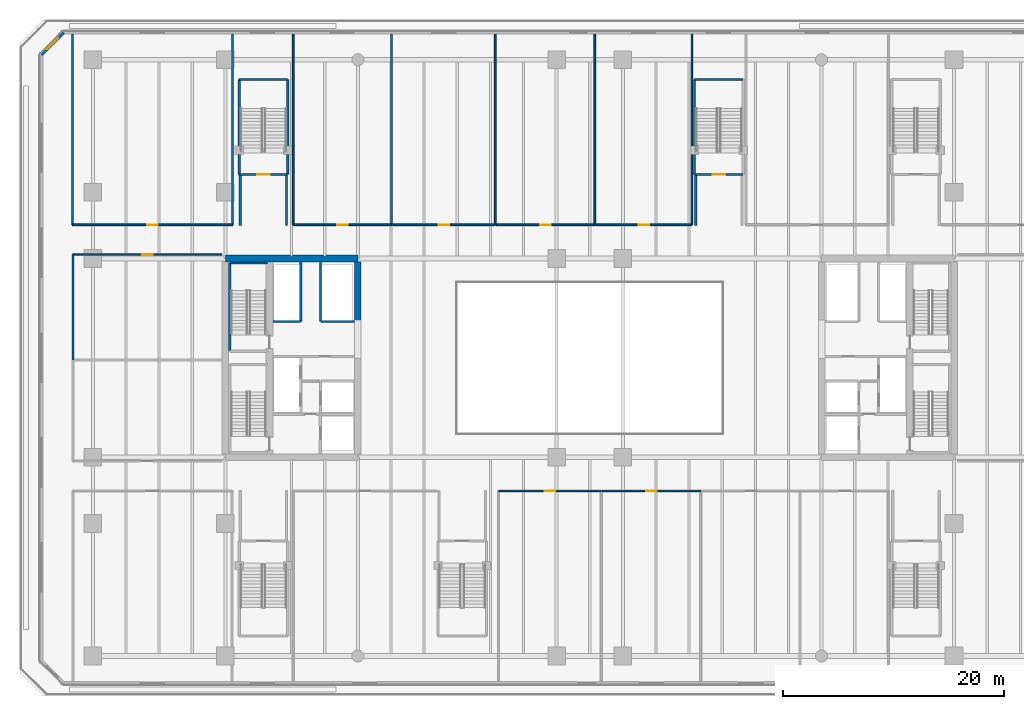
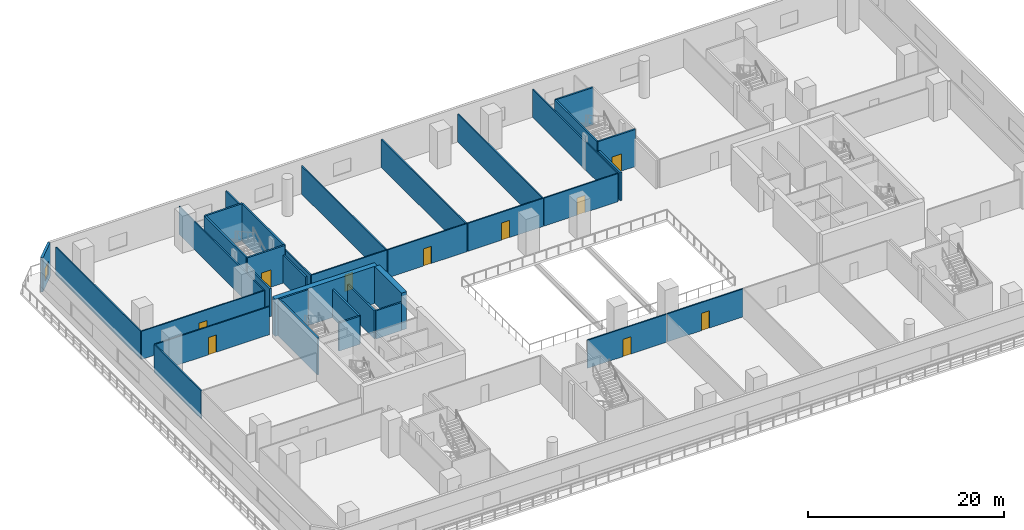
# One storey, part 6 of 27: 35 walls, 10 doors, 1 window, 11 openings.
"""IFC4 building model written with IfcOpenShell, lengths in metres."""

from ifc_helpers import new_model, si_unit, direction, frame, frame_2d, origin, place, context, subcontext, project, spatial, rectangle, extrude, material, layer, layer_set, type_object, element, fill, save


model = new_model("IFC4")

# Units and contexts
model_context = context("Model", 3, precision=1e-05, world=origin(), true_north=direction((0.0, 1.0)))
body_context = subcontext(model_context, "Body", "Model", "MODEL_VIEW")
ifc_project = project(units=[si_unit("LENGTHUNIT", "METRE"), si_unit("AREAUNIT", "SQUARE_METRE"), si_unit("VOLUMEUNIT", "CUBIC_METRE"), si_unit("PLANEANGLEUNIT", "RADIAN"), si_unit("MASSUNIT", "GRAM", prefix="KILO")], contexts=[model_context])

# Site, building, storey
site_placement = place(None, origin())
site = spatial("IfcSite", under=ifc_project, at=site_placement, CompositionType="ELEMENT")
building_placement = place(site_placement, origin())
building = spatial("IfcBuilding", under=site, at=building_placement, Name="Tanjung Sevakor Pilgrim Tower", CompositionType="ELEMENT")
storey_placement = place(building_placement, frame((0.0, 0.0, 19.469970703125)))
storey = spatial("IfcBuildingStorey", under=building, at=storey_placement, Name="L05", CompositionType="ELEMENT", Elevation=19.469970703125)

# Walls
ifc_material_1 = material(Name="Concrete C60/75", Category="concrete")
ifc_layer_1 = layer(ifc_material_1, 0.60009765625)
ifc_layer_set_1 = layer_set([ifc_layer_1], Name="WALL-CW-600")
wall_type_1 = type_object("IfcWallType", Name="WALL-CW-600", PredefinedType="SHEAR", material=ifc_layer_set_1)
wall_1_placement = place(storey_placement, frame((36.0, 42.60009765625, 0.0), z_axis=(0.0, 0.0, 1.0), x_axis=(-1.0, 0.0, 0.0)))
element("IfcWall", 1, at=wall_1_placement, inside=storey, type_object=wall_type_1, Name="L05 W Core North Shear Wall", PredefinedType="SHEAR", context=body_context, shape_type="SweptSolid", body=[
    extrude(rectangle(XDim=12.0, YDim=0.60009765625, at=frame_2d((6.0, 0.0))), origin(), (0.0, 0.0, 1.0), 4.6201171875),
])
wall_2_placement = place(storey_placement, frame((36.0, 36.800048828125, 0.0), z_axis=(0.0, 0.0, 1.0), x_axis=(0.0, 1.0, 0.0)))
element("IfcWall", 2, at=wall_2_placement, inside=storey, type_object=wall_type_1, Name="L05 W Core Inner Shear Wall North", PredefinedType="SHEAR", context=body_context, shape_type="SweptSolid", body=[
    extrude(rectangle(XDim=5.5, YDim=0.60009765625, at=frame_2d((2.75, 0.0))), origin(), (0.0, 0.0, 1.0), 4.6201171875),
])

# Wall, opening, door
ifc_material_2 = material(Name="Concrete C40/50", Category="concrete")
ifc_layer_2 = layer(ifc_material_2, 0.14990234375)
ifc_layer_set_2 = layer_set([ifc_layer_2], Name="WT-COMP-150")
wall_type_2 = type_object("IfcWallType", Name="WT-COMP-150", PredefinedType="SOLIDWALL", material=ifc_layer_set_2)
wall_3_placement = place(storey_placement, frame((48.75, 21.550048828125, 0.0), z_axis=(0.0, 0.0, 1.0), x_axis=(1.0, 0.0, 0.0)))
wall_3 = element("IfcWall", 3, at=wall_3_placement, inside=storey, type_object=wall_type_2, Name="L05 Partition IW-L05-039", PredefinedType="SOLIDWALL", context=body_context, shape_type="SweptSolid", body=[
    extrude(rectangle(XDim=9.300048828125, YDim=0.14990234375, at=frame_2d((4.64990234375, 0.0))), origin(), (0.0, 0.0, 1.0), 3.489990234375),
])
opening_1_placement = place(wall_3_placement, frame((4.175048828125, 0.0, 0.0)))
opening_1 = element("IfcOpeningElement", 4, at=opening_1_placement, cuts=wall_3, Name="Opening ID-RM1", PredefinedType="OPENING", context=body_context, shape_type="SweptSolid", body=[
    extrude(rectangle(XDim=0.949951171875, YDim=2.14990234375, at=frame_2d((0.47509765625, 1.074951171875))), frame((0.0, 0.0849609375, 0.0), z_axis=(0.0, -1.0, 0.0), x_axis=(1.0, 0.0, 0.0)), (0.0, 0.0, 1.0), 0.169921875),
])
ifc_material_3 = material(Name="Hardwood Timber", Category="wood")
door_type_1 = type_object("IfcDoorType", Name="DT-INT-950", OperationType="NOTDEFINED", PredefinedType="DOOR", material=ifc_material_3)
door_1_placement = place(opening_1_placement, origin())
door_1 = element("IfcDoor", 5, at=door_1_placement, inside=storey, type_object=door_type_1, Name="L05 Clinic Suite Door 2", OperationType="SINGLE_SWING_LEFT", OverallHeight=2.14990234375, OverallWidth=0.949951171875, PredefinedType="DOOR", context=body_context, shape_type="SweptSolid", body=[
    extrude(rectangle(XDim=0.949951171875, YDim=2.14990234375, at=frame_2d((0.47509765625, 1.074951171875))), frame((0.0, 0.02490234375, 0.0), z_axis=(0.0, -1.0, 0.0), x_axis=(1.0, 0.0, 0.0)), (0.0, 0.0, 1.0), 0.050048828125),
])
fill(opening_1, door_1)

wall_4_placement = place(storey_placement, frame((58.14990234375, 21.550048828125, 0.0), z_axis=(0.0, 0.0, 1.0), x_axis=(1.0, 0.0, 0.0)))
wall_4 = element("IfcWall", 6, at=wall_4_placement, inside=storey, type_object=wall_type_2, Name="L05 Partition IW-L05-042", PredefinedType="SOLIDWALL", context=body_context, shape_type="SweptSolid", body=[
    extrude(rectangle(XDim=8.900146484375, YDim=0.14990234375, at=frame_2d((4.4501953125, 0.0))), origin(), (0.0, 0.0, 1.0), 3.489990234375),
])
opening_2_placement = place(wall_4_placement, frame((3.97509765625, 0.0, 0.0)))
opening_2 = element("IfcOpeningElement", 7, at=opening_2_placement, cuts=wall_4, Name="Opening ID-RM1", PredefinedType="OPENING", context=body_context, shape_type="SweptSolid", body=[
    extrude(rectangle(XDim=0.949951171875, YDim=2.14990234375, at=frame_2d((0.47509765625, 1.074951171875))), frame((0.0, 0.0849609375, 0.0), z_axis=(0.0, -1.0, 0.0), x_axis=(1.0, 0.0, 0.0)), (0.0, 0.0, 1.0), 0.169921875),
])
door_2_placement = place(opening_2_placement, origin())
door_2 = element("IfcDoor", 8, at=door_2_placement, inside=storey, type_object=door_type_1, Name="L05 Clinic Suite Door 3", OperationType="SINGLE_SWING_RIGHT", OverallHeight=2.14990234375, OverallWidth=0.949951171875, PredefinedType="DOOR", context=body_context, shape_type="SweptSolid", body=[
    extrude(rectangle(XDim=0.949951171875, YDim=2.14990234375, at=frame_2d((0.47509765625, 1.074951171875))), frame((0.0, 0.02490234375, 0.0), z_axis=(0.0, -1.0, 0.0), x_axis=(1.0, 0.0, 0.0)), (0.0, 0.0, 1.0), 0.050048828125),
])
fill(opening_2, door_2)

wall_5_placement = place(storey_placement, frame((10.14990234375, 45.64990234375, 0.0), z_axis=(0.0, 0.0, 1.0), x_axis=(1.0, 0.0, 0.0)))
wall_5 = element("IfcWall", 9, at=wall_5_placement, inside=storey, type_object=wall_type_2, Name="L05 Partition IW-L05-048", PredefinedType="SOLIDWALL", context=body_context, shape_type="SweptSolid", body=[
    extrude(rectangle(XDim=14.5, YDim=0.14990234375, at=frame_2d((7.25, 0.0))), origin(), (0.0, 0.0, 1.0), 3.489990234375),
])
opening_3_placement = place(wall_5_placement, frame((6.77490234375, 0.0, 0.0)))
opening_3 = element("IfcOpeningElement", 10, at=opening_3_placement, cuts=wall_5, Name="Opening ID-RM1", PredefinedType="OPENING", context=body_context, shape_type="SweptSolid", body=[
    extrude(rectangle(XDim=0.949951171875, YDim=2.14990234375, at=frame_2d((0.47509765625, 1.074951171875))), frame((0.0, 0.0849609375, 0.0), z_axis=(0.0, -1.0, 0.0), x_axis=(1.0, 0.0, 0.0)), (0.0, 0.0, 1.0), 0.169921875),
])
door_3_placement = place(opening_3_placement, origin())
door_3 = element("IfcDoor", 11, at=door_3_placement, inside=storey, type_object=door_type_1, Name="L05 Admin Office Door 1", OperationType="SINGLE_SWING_LEFT", OverallHeight=2.14990234375, OverallWidth=0.949951171875, PredefinedType="DOOR", context=body_context, shape_type="SweptSolid", body=[
    extrude(rectangle(XDim=0.949951171875, YDim=2.14990234375, at=frame_2d((0.47509765625, 1.074951171875))), frame((0.0, 0.02490234375, 0.0), z_axis=(0.0, -1.0, 0.0), x_axis=(1.0, 0.0, 0.0)), (0.0, 0.0, 1.0), 0.050048828125),
])
fill(opening_3, door_3)

# Walls
for number, where, z_axis, x_axis, name in (
    (12, (10.14990234375, 45.64990234375, 0.0), (0.0, 0.0, 1.0), (0.0, 1.0, 0.0), "L05 Partition IW-L05-049"),
    (13, (24.64990234375, 45.64990234375, 0.0), (0.0, 0.0, 1.0), (0.0, 1.0, 0.0), "L05 Partition IW-L05-050"),
):
    element("IfcWall", number, at=place(storey_placement, frame(where, z_axis=z_axis, x_axis=x_axis)), inside=storey, type_object=wall_type_2, Name=name, PredefinedType="SOLIDWALL", context=body_context, shape_type="SweptSolid", body=[
        extrude(rectangle(XDim=17.27001953125, YDim=0.14990234375, at=frame_2d((8.635009765625, 0.0))), origin(), (0.0, 0.0, 1.0), 3.489990234375),
    ])

# Wall, opening, door
wall_6_placement = place(storey_placement, frame((30.14990234375, 45.64990234375, 0.0), z_axis=(0.0, 0.0, 1.0), x_axis=(1.0, 0.0, 0.0)))
wall_6 = element("IfcWall", 14, at=wall_6_placement, inside=storey, type_object=wall_type_2, Name="L05 Partition IW-L05-051", PredefinedType="SOLIDWALL", context=body_context, shape_type="SweptSolid", body=[
    extrude(rectangle(XDim=8.900146484375, YDim=0.14990234375, at=frame_2d((4.4501953125, 0.0))), origin(), (0.0, 0.0, 1.0), 3.489990234375),
])
opening_4_placement = place(wall_6_placement, frame((3.97509765625, 0.0, 0.0)))
opening_4 = element("IfcOpeningElement", 15, at=opening_4_placement, cuts=wall_6, Name="Opening ID-RM1", PredefinedType="OPENING", context=body_context, shape_type="SweptSolid", body=[
    extrude(rectangle(XDim=0.949951171875, YDim=2.14990234375, at=frame_2d((0.47509765625, 1.074951171875))), frame((0.0, 0.0849609375, 0.0), z_axis=(0.0, -1.0, 0.0), x_axis=(1.0, 0.0, 0.0)), (0.0, 0.0, 1.0), 0.169921875),
])
door_4_placement = place(opening_4_placement, origin())
door_4 = element("IfcDoor", 16, at=door_4_placement, inside=storey, type_object=door_type_1, Name="L05 Admin Office Door 2", OperationType="SINGLE_SWING_RIGHT", OverallHeight=2.14990234375, OverallWidth=0.949951171875, PredefinedType="DOOR", context=body_context, shape_type="SweptSolid", body=[
    extrude(rectangle(XDim=0.949951171875, YDim=2.14990234375, at=frame_2d((0.47509765625, 1.074951171875))), frame((0.0, 0.02490234375, 0.0), z_axis=(0.0, -1.0, 0.0), x_axis=(1.0, 0.0, 0.0)), (0.0, 0.0, 1.0), 0.050048828125),
])
fill(opening_4, door_4)

# Walls
for number, where, z_axis, x_axis, name in (
    (17, (30.14990234375, 45.64990234375, 0.0), (0.0, 0.0, 1.0), (0.0, 1.0, 0.0), "L05 Partition IW-L05-052"),
    (18, (39.050048828125, 45.64990234375, 0.0), (0.0, 0.0, 1.0), (0.0, 1.0, 0.0), "L05 Partition IW-L05-053"),
):
    element("IfcWall", number, at=place(storey_placement, frame(where, z_axis=z_axis, x_axis=x_axis)), inside=storey, type_object=wall_type_2, Name=name, PredefinedType="SOLIDWALL", context=body_context, shape_type="SweptSolid", body=[
        extrude(rectangle(XDim=17.27001953125, YDim=0.14990234375, at=frame_2d((8.635009765625, 0.0))), origin(), (0.0, 0.0, 1.0), 3.489990234375),
    ])

# Wall, opening, door
wall_7_placement = place(storey_placement, frame((39.14990234375, 45.64990234375, 0.0), z_axis=(0.0, 0.0, 1.0), x_axis=(1.0, 0.0, 0.0)))
wall_7 = element("IfcWall", 19, at=wall_7_placement, inside=storey, type_object=wall_type_2, Name="L05 Partition IW-L05-054", PredefinedType="SOLIDWALL", context=body_context, shape_type="SweptSolid", body=[
    extrude(rectangle(XDim=9.300048828125, YDim=0.14990234375, at=frame_2d((4.64990234375, 0.0))), origin(), (0.0, 0.0, 1.0), 3.489990234375),
])
opening_5_placement = place(wall_7_placement, frame((4.175048828125, 0.0, 0.0)))
opening_5 = element("IfcOpeningElement", 20, at=opening_5_placement, cuts=wall_7, Name="Opening ID-RM1", PredefinedType="OPENING", context=body_context, shape_type="SweptSolid", body=[
    extrude(rectangle(XDim=0.949951171875, YDim=2.14990234375, at=frame_2d((0.47509765625, 1.074951171875))), frame((0.0, 0.0849609375, 0.0), z_axis=(0.0, -1.0, 0.0), x_axis=(1.0, 0.0, 0.0)), (0.0, 0.0, 1.0), 0.169921875),
])
door_5_placement = place(opening_5_placement, origin())
door_5 = element("IfcDoor", 21, at=door_5_placement, inside=storey, type_object=door_type_1, Name="L05 Admin Office Door 3", OperationType="SINGLE_SWING_LEFT", OverallHeight=2.14990234375, OverallWidth=0.949951171875, PredefinedType="DOOR", context=body_context, shape_type="SweptSolid", body=[
    extrude(rectangle(XDim=0.949951171875, YDim=2.14990234375, at=frame_2d((0.47509765625, 1.074951171875))), frame((0.0, 0.02490234375, 0.0), z_axis=(0.0, -1.0, 0.0), x_axis=(1.0, 0.0, 0.0)), (0.0, 0.0, 1.0), 0.050048828125),
])
fill(opening_5, door_5)

# Wall
wall_8_placement = place(storey_placement, frame((48.449951171875, 45.64990234375, 0.0), z_axis=(0.0, 0.0, 1.0), x_axis=(0.0, 1.0, 0.0)))
element("IfcWall", 22, at=wall_8_placement, inside=storey, type_object=wall_type_2, Name="L05 Partition IW-L05-055", PredefinedType="SOLIDWALL", context=body_context, shape_type="SweptSolid", body=[
    extrude(rectangle(XDim=17.27001953125, YDim=0.14990234375, at=frame_2d((8.635009765625, 0.0))), origin(), (0.0, 0.0, 1.0), 3.489990234375),
])

# Wall, opening, door
wall_9_placement = place(storey_placement, frame((48.550048828125, 45.64990234375, 0.0), z_axis=(0.0, 0.0, 1.0), x_axis=(1.0, 0.0, 0.0)))
wall_9 = element("IfcWall", 23, at=wall_9_placement, inside=storey, type_object=wall_type_2, Name="L05 Partition IW-L05-056", PredefinedType="SOLIDWALL", context=body_context, shape_type="SweptSolid", body=[
    extrude(rectangle(XDim=8.89990234375, YDim=0.14990234375, at=frame_2d((4.449951171875, 0.0))), origin(), (0.0, 0.0, 1.0), 3.489990234375),
])
opening_6_placement = place(wall_9_placement, frame((3.97509765625, 0.0, 0.0)))
opening_6 = element("IfcOpeningElement", 24, at=opening_6_placement, cuts=wall_9, Name="Opening ID-RM1", PredefinedType="OPENING", context=body_context, shape_type="SweptSolid", body=[
    extrude(rectangle(XDim=0.949951171875, YDim=2.14990234375, at=frame_2d((0.47509765625, 1.074951171875))), frame((0.0, 0.0849609375, 0.0), z_axis=(0.0, -1.0, 0.0), x_axis=(1.0, 0.0, 0.0)), (0.0, 0.0, 1.0), 0.169921875),
])
door_6_placement = place(opening_6_placement, origin())
door_6 = element("IfcDoor", 25, at=door_6_placement, inside=storey, type_object=door_type_1, Name="L05 Admin Office Door 4", OperationType="SINGLE_SWING_RIGHT", OverallHeight=2.14990234375, OverallWidth=0.949951171875, PredefinedType="DOOR", context=body_context, shape_type="SweptSolid", body=[
    extrude(rectangle(XDim=0.949951171875, YDim=2.14990234375, at=frame_2d((0.47509765625, 1.074951171875))), frame((0.0, 0.02490234375, 0.0), z_axis=(0.0, -1.0, 0.0), x_axis=(1.0, 0.0, 0.0)), (0.0, 0.0, 1.0), 0.050048828125),
])
fill(opening_6, door_6)

# Wall
wall_10_placement = place(storey_placement, frame((57.449951171875, 45.64990234375, 0.0), z_axis=(0.0, 0.0, 1.0), x_axis=(0.0, 1.0, 0.0)))
element("IfcWall", 26, at=wall_10_placement, inside=storey, type_object=wall_type_2, Name="L05 Partition IW-L05-057", PredefinedType="SOLIDWALL", context=body_context, shape_type="SweptSolid", body=[
    extrude(rectangle(XDim=17.27001953125, YDim=0.14990234375, at=frame_2d((8.635009765625, 0.0))), origin(), (0.0, 0.0, 1.0), 3.489990234375),
])

# Wall, opening, door
wall_11_placement = place(storey_placement, frame((57.550048828125, 45.64990234375, 0.0), z_axis=(0.0, 0.0, 1.0), x_axis=(1.0, 0.0, 0.0)))
wall_11 = element("IfcWall", 27, at=wall_11_placement, inside=storey, type_object=wall_type_2, Name="L05 Partition IW-L05-058", PredefinedType="SOLIDWALL", context=body_context, shape_type="SweptSolid", body=[
    extrude(rectangle(XDim=8.699951171875, YDim=0.14990234375, at=frame_2d((4.35009765625, 0.0))), origin(), (0.0, 0.0, 1.0), 3.489990234375),
])
opening_7_placement = place(wall_11_placement, frame((3.875, 0.0, 0.0)))
opening_7 = element("IfcOpeningElement", 28, at=opening_7_placement, cuts=wall_11, Name="Opening ID-RM1", PredefinedType="OPENING", context=body_context, shape_type="SweptSolid", body=[
    extrude(rectangle(XDim=0.949951171875, YDim=2.14990234375, at=frame_2d((0.47509765625, 1.074951171875))), frame((0.0, 0.0849609375, 0.0), z_axis=(0.0, -1.0, 0.0), x_axis=(1.0, 0.0, 0.0)), (0.0, 0.0, 1.0), 0.169921875),
])
door_7_placement = place(opening_7_placement, origin())
door_7 = element("IfcDoor", 29, at=door_7_placement, inside=storey, type_object=door_type_1, Name="L05 Admin Office Door 5", OperationType="SINGLE_SWING_LEFT", OverallHeight=2.14990234375, OverallWidth=0.949951171875, PredefinedType="DOOR", context=body_context, shape_type="SweptSolid", body=[
    extrude(rectangle(XDim=0.949951171875, YDim=2.14990234375, at=frame_2d((0.47509765625, 1.074951171875))), frame((0.0, 0.02490234375, 0.0), z_axis=(0.0, -1.0, 0.0), x_axis=(1.0, 0.0, 0.0)), (0.0, 0.0, 1.0), 0.050048828125),
])
fill(opening_7, door_7)

# Wall
wall_12_placement = place(storey_placement, frame((66.25, 45.64990234375, 0.0), z_axis=(0.0, 0.0, 1.0), x_axis=(0.0, 1.0, 0.0)))
element("IfcWall", 30, at=wall_12_placement, inside=storey, type_object=wall_type_2, Name="L05 Partition IW-L05-059", PredefinedType="SOLIDWALL", context=body_context, shape_type="SweptSolid", body=[
    extrude(rectangle(XDim=17.27001953125, YDim=0.14990234375, at=frame_2d((8.635009765625, 0.0))), origin(), (0.0, 0.0, 1.0), 3.489990234375),
])

# Wall, opening, door
wall_13_placement = place(storey_placement, frame((10.199951171875, 42.949951171875, 0.0), z_axis=(0.0, 0.0, 1.0), x_axis=(1.0, 0.0, 0.0)))
wall_13 = element("IfcWall", 31, at=wall_13_placement, inside=storey, type_object=wall_type_2, Name="L05 Partition IW-L05-066", PredefinedType="SOLIDWALL", context=body_context, shape_type="SweptSolid", body=[
    extrude(rectangle(XDim=13.47998046875, YDim=0.14990234375, at=frame_2d((6.739990234375, 0.0))), origin(), (0.0, 0.0, 1.0), 3.489990234375),
])
opening_8_placement = place(wall_13_placement, frame((6.264892578125, 0.0, 0.0)))
opening_8 = element("IfcOpeningElement", 32, at=opening_8_placement, cuts=wall_13, Name="Opening ID-RM1", PredefinedType="OPENING", context=body_context, shape_type="SweptSolid", body=[
    extrude(rectangle(XDim=0.949951171875, YDim=2.14990234375, at=frame_2d((0.47509765625, 1.074951171875))), frame((0.0, 0.0849609375, 0.0), z_axis=(0.0, -1.0, 0.0), x_axis=(1.0, 0.0, 0.0)), (0.0, 0.0, 1.0), 0.169921875),
])
door_8_placement = place(opening_8_placement, origin())
door_8 = element("IfcDoor", 33, at=door_8_placement, inside=storey, type_object=door_type_1, Name="L05 West Desk 2 Door", OperationType="SINGLE_SWING_RIGHT", OverallHeight=2.14990234375, OverallWidth=0.949951171875, PredefinedType="DOOR", context=body_context, shape_type="SweptSolid", body=[
    extrude(rectangle(XDim=0.949951171875, YDim=2.14990234375, at=frame_2d((0.47509765625, 1.074951171875))), frame((0.0, 0.02490234375, 0.0), z_axis=(0.0, -1.0, 0.0), x_axis=(1.0, 0.0, 0.0)), (0.0, 0.0, 1.0), 0.050048828125),
])
fill(opening_8, door_8)

# Wall
wall_14_placement = place(storey_placement, frame((10.199951171875, 33.39990234375, 0.0), z_axis=(0.0, 0.0, 1.0), x_axis=(0.0, 1.0, 0.0)))
element("IfcWall", 34, at=wall_14_placement, inside=storey, type_object=wall_type_2, Name="L05 Partition IW-L05-067", PredefinedType="SOLIDWALL", context=body_context, shape_type="SweptSolid", body=[
    extrude(rectangle(XDim=9.550048828125, YDim=0.14990234375, at=frame_2d((4.77490234375, 0.0))), origin(), (0.0, 0.0, 1.0), 3.489990234375),
])

# Wall, opening, window
ifc_material_4 = material(Name="Precast concrete C45/55", Category="concrete")
ifc_layer_3 = layer(ifc_material_4, 0.280029296875)
ifc_layer_set_3 = layer_set([ifc_layer_3], Name="WT-EW-STN2")
wall_type_3 = type_object("IfcWallType", Name="WT-EW-STN2", PredefinedType="SOLIDWALL", material=ifc_layer_set_3)
wall_15_placement = place(storey_placement, frame((9.35791015625, 63.06005859375, 0.0), z_axis=(0.0, 0.0, 1.0), x_axis=(-0.707064005301, -0.707149554485, 0.0)))
wall_15 = element("IfcWall", 35, at=wall_15_placement, inside=storey, type_object=wall_type_3, Name="L05 MAIN Exterior Wall 6", PredefinedType="SOLIDWALL", context=body_context, shape_type="SweptSolid", body=[
    extrude(rectangle(XDim=2.853759765625, YDim=0.280029296875, at=frame_2d((1.4267578125, 0.0))), origin(), (0.0, 0.0, 1.0), 4.27001953125),
])
opening_9_placement = place(wall_15_placement, frame((0.726806640625, 0.0, 0.780029296875)))
opening_9 = element("IfcOpeningElement", 36, at=opening_9_placement, cuts=wall_15, Name="Opening WN-END", PredefinedType="OPENING", context=body_context, shape_type="SweptSolid", body=[
    extrude(rectangle(XDim=1.39990234375, YDim=1.64990234375, at=frame_2d((0.699951171875, 0.824951171875))), frame((0.0, 0.14990234375, 0.0), z_axis=(0.0, -1.0, 0.0), x_axis=(1.0, 0.0, 0.0)), (0.0, 0.0, 1.0), 0.300048828125),
])
ifc_material_5 = material(Name="Thermally Broken Aluminium and Low-E Glass", Category="aluminium")
window_type = type_object("IfcWindowType", Name="WTYP-WN-END", PartitioningType="SINGLE_PANEL", PredefinedType="WINDOW", material=ifc_material_5)
window_placement = place(opening_9_placement, origin())
window = element("IfcWindow", 37, at=window_placement, inside=storey, type_object=window_type, Name="L05 Facade Window 01", OverallHeight=1.64990234375, OverallWidth=1.39990234375, PartitioningType="SINGLE_PANEL", PredefinedType="WINDOW", context=body_context, shape_type="SweptSolid", body=[
    extrude(rectangle(XDim=1.39990234375, YDim=1.64990234375, at=frame_2d((0.699951171875, 0.824951171875))), frame((0.0, 0.030029296875, 0.0), z_axis=(0.0, -1.0, 0.0), x_axis=(1.0, 0.0, 0.0)), (0.0, 0.0, 1.0), 0.06005859375),
])
fill(opening_9, window)

# Walls
ifc_material_6 = material(Name="Concrete C40/50", Category="concrete")
ifc_layer_4 = layer(ifc_material_6, 0.199951171875)
ifc_layer_set_4 = layer_set([ifc_layer_4], Name="WT-FIRE-200")
wall_type_4 = type_object("IfcWallType", Name="WT-FIRE-200", PredefinedType="SOLIDWALL", material=ifc_layer_set_4)
wall_16_placement = place(storey_placement, frame((27.800048828125, 42.199951171875, 0.0), z_axis=(0.0, 0.0, 1.0), x_axis=(-1.0, 0.0, 0.0)))
element("IfcWall", 38, at=wall_16_placement, inside=storey, type_object=wall_type_4, Name="L05 TS-W2 Shaft Wall 2", PredefinedType="SOLIDWALL", context=body_context, shape_type="SweptSolid", body=[
    extrude(rectangle(XDim=3.400146484375, YDim=0.199951171875, at=frame_2d((1.7001953125, 0.0))), origin(), (0.0, 0.0, 1.0), 4.6201171875),
])
wall_17_placement = place(storey_placement, frame((24.39990234375, 42.199951171875, 0.0), z_axis=(0.0, 0.0, 1.0), x_axis=(0.0, -1.0, 0.0)))
element("IfcWall", 39, at=wall_17_placement, inside=storey, type_object=wall_type_4, Name="L05 TS-W2 Shaft Wall 3", PredefinedType="SOLIDWALL", context=body_context, shape_type="SweptSolid", body=[
    extrude(rectangle(XDim=8.0, YDim=0.199951171875, at=frame_2d((4.0, 0.0))), origin(), (0.0, 0.0, 1.0), 4.6201171875),
])

# Wall, opening, door
wall_18_placement = place(storey_placement, frame((25.25, 50.199951171875, 0.0), z_axis=(0.0, 0.0, 1.0), x_axis=(1.0, 0.0, 0.0)))
wall_18 = element("IfcWall", 40, at=wall_18_placement, inside=storey, type_object=wall_type_4, Name="L05 PS-2 Shaft Wall 1", PredefinedType="SOLIDWALL", context=body_context, shape_type="SweptSolid", body=[
    extrude(rectangle(XDim=4.39990234375, YDim=0.199951171875, at=frame_2d((2.199951171875, 0.0))), origin(), (0.0, 0.0, 1.0), 4.6201171875),
])
opening_10_placement = place(wall_18_placement, frame((1.625, 0.0, 0.0)))
opening_10 = element("IfcOpeningElement", 41, at=opening_10_placement, cuts=wall_18, Name="Opening ID-ST1", PredefinedType="OPENING", context=body_context, shape_type="SweptSolid", body=[
    extrude(rectangle(XDim=1.14990234375, YDim=2.14990234375, at=frame_2d((0.574951171875, 1.074951171875))), frame((0.0, 0.10986328125, 0.0), z_axis=(0.0, -1.0, 0.0), x_axis=(1.0, 0.0, 0.0)), (0.0, 0.0, 1.0), 0.219970703125),
])
ifc_material_7 = material(Name="Fire-Rated Steel S355J2", Category="steel")
door_type_2 = type_object("IfcDoorType", Name="DT-FIRE-1150", OperationType="NOTDEFINED", PredefinedType="DOOR", material=ifc_material_7)
door_9_placement = place(opening_10_placement, origin())
door_9 = element("IfcDoor", 42, at=door_9_placement, inside=storey, type_object=door_type_2, Name="L05 PS-2 Stair Entry Fire Door", OperationType="SINGLE_SWING_LEFT", OverallHeight=2.14990234375, OverallWidth=1.14990234375, PredefinedType="DOOR", context=body_context, shape_type="SweptSolid", body=[
    extrude(rectangle(XDim=1.14990234375, YDim=2.14990234375, at=frame_2d((0.574951171875, 1.074951171875))), frame((0.0, 0.02490234375, 0.0), z_axis=(0.0, -1.0, 0.0), x_axis=(1.0, 0.0, 0.0)), (0.0, 0.0, 1.0), 0.050048828125),
])
fill(opening_10, door_9)

# Walls
wall_19_placement = place(storey_placement, frame((29.64990234375, 50.199951171875, 0.0), z_axis=(0.0, 0.0, 1.0), x_axis=(0.0, 1.0, 0.0)))
element("IfcWall", 43, at=wall_19_placement, inside=storey, type_object=wall_type_4, Name="L05 PS-2 Shaft Wall 2", PredefinedType="SOLIDWALL", context=body_context, shape_type="SweptSolid", body=[
    extrude(rectangle(XDim=8.60009765625, YDim=0.199951171875, at=frame_2d((4.300048828125, 0.0))), origin(), (0.0, 0.0, 1.0), 4.6201171875),
])
wall_20_placement = place(storey_placement, frame((29.64990234375, 58.800048828125, 0.0), z_axis=(0.0, 0.0, 1.0), x_axis=(-1.0, 0.0, 0.0)))
element("IfcWall", 44, at=wall_20_placement, inside=storey, type_object=wall_type_4, Name="L05 PS-2 Shaft Wall 3", PredefinedType="SOLIDWALL", context=body_context, shape_type="SweptSolid", body=[
    extrude(rectangle(XDim=4.39990234375, YDim=0.199951171875, at=frame_2d((2.199951171875, 0.0))), origin(), (0.0, 0.0, 1.0), 4.6201171875),
])
wall_21_placement = place(storey_placement, frame((25.25, 58.800048828125, 0.0), z_axis=(0.0, 0.0, 1.0), x_axis=(0.0, -1.0, 0.0)))
element("IfcWall", 45, at=wall_21_placement, inside=storey, type_object=wall_type_4, Name="L05 PS-2 Shaft Wall 4", PredefinedType="SOLIDWALL", context=body_context, shape_type="SweptSolid", body=[
    extrude(rectangle(XDim=8.60009765625, YDim=0.199951171875, at=frame_2d((4.300048828125, 0.0))), origin(), (0.0, 0.0, 1.0), 4.6201171875),
])

# Wall, opening, door
wall_22_placement = place(storey_placement, frame((66.5, 50.199951171875, 0.0), z_axis=(0.0, 0.0, 1.0), x_axis=(1.0, 0.0, 0.0)))
wall_22 = element("IfcWall", 46, at=wall_22_placement, inside=storey, type_object=wall_type_4, Name="L05 PS-4 Shaft Wall 1", PredefinedType="SOLIDWALL", context=body_context, shape_type="SweptSolid", body=[
    extrude(rectangle(XDim=4.39990234375, YDim=0.199951171875, at=frame_2d((2.199951171875, 0.0))), origin(), (0.0, 0.0, 1.0), 4.6201171875),
])
opening_11_placement = place(wall_22_placement, frame((1.625, 0.0, 0.0)))
opening_11 = element("IfcOpeningElement", 47, at=opening_11_placement, cuts=wall_22, Name="Opening ID-ST1", PredefinedType="OPENING", context=body_context, shape_type="SweptSolid", body=[
    extrude(rectangle(XDim=1.14990234375, YDim=2.14990234375, at=frame_2d((0.574951171875, 1.074951171875))), frame((0.0, 0.10986328125, 0.0), z_axis=(0.0, -1.0, 0.0), x_axis=(1.0, 0.0, 0.0)), (0.0, 0.0, 1.0), 0.219970703125),
])
door_10_placement = place(opening_11_placement, origin())
door_10 = element("IfcDoor", 48, at=door_10_placement, inside=storey, type_object=door_type_2, Name="L05 PS-4 Stair Entry Fire Door", OperationType="SINGLE_SWING_LEFT", OverallHeight=2.14990234375, OverallWidth=1.14990234375, PredefinedType="DOOR", context=body_context, shape_type="SweptSolid", body=[
    extrude(rectangle(XDim=1.14990234375, YDim=2.14990234375, at=frame_2d((0.574951171875, 1.074951171875))), frame((0.0, 0.02490234375, 0.0), z_axis=(0.0, -1.0, 0.0), x_axis=(1.0, 0.0, 0.0)), (0.0, 0.0, 1.0), 0.050048828125),
])
fill(opening_11, door_10)

# Walls
wall_23_placement = place(storey_placement, frame((70.89990234375, 58.800048828125, 0.0), z_axis=(0.0, 0.0, 1.0), x_axis=(-1.0, 0.0, 0.0)))
element("IfcWall", 49, at=wall_23_placement, inside=storey, type_object=wall_type_4, Name="L05 PS-4 Shaft Wall 3", PredefinedType="SOLIDWALL", context=body_context, shape_type="SweptSolid", body=[
    extrude(rectangle(XDim=4.39990234375, YDim=0.199951171875, at=frame_2d((2.199951171875, 0.0))), origin(), (0.0, 0.0, 1.0), 4.6201171875),
])
wall_24_placement = place(storey_placement, frame((66.5, 58.800048828125, 0.0), z_axis=(0.0, 0.0, 1.0), x_axis=(0.0, -1.0, 0.0)))
element("IfcWall", 50, at=wall_24_placement, inside=storey, type_object=wall_type_4, Name="L05 PS-4 Shaft Wall 4", PredefinedType="SOLIDWALL", context=body_context, shape_type="SweptSolid", body=[
    extrude(rectangle(XDim=8.60009765625, YDim=0.199951171875, at=frame_2d((4.300048828125, 0.0))), origin(), (0.0, 0.0, 1.0), 4.6201171875),
])
ifc_material_8 = material(Name="Concrete C40/50", Category="concrete")
ifc_layer_5 = layer(ifc_material_8, 0.199951171875)
ifc_layer_set_5 = layer_set([ifc_layer_5], Name="WT-FPRT-200")
wall_type_5 = type_object("IfcWallType", Name="WT-FPRT-200", PredefinedType="SOLIDWALL", material=ifc_layer_set_5)
wall_25_placement = place(storey_placement, frame((28.320068359375, 36.8798828125, 0.0), z_axis=(0.0, 0.0, 1.0), x_axis=(1.0, 0.0, 0.0)))
element("IfcWall", 51, at=wall_25_placement, inside=storey, type_object=wall_type_5, Name="L05 Partition IW-L05-009", PredefinedType="SOLIDWALL", context=body_context, shape_type="SweptSolid", body=[
    extrude(rectangle(XDim=2.47998046875, YDim=0.199951171875, at=frame_2d((1.239990234375, 0.0))), origin(), (0.0, 0.0, 1.0), 3.489990234375),
])
wall_26_placement = place(storey_placement, frame((30.820068359375, 36.8798828125, 0.0), z_axis=(0.0, 0.0, 1.0), x_axis=(0.0, 1.0, 0.0)))
element("IfcWall", 52, at=wall_26_placement, inside=storey, type_object=wall_type_5, Name="L05 Partition IW-L05-010", PredefinedType="SOLIDWALL", context=body_context, shape_type="SweptSolid", body=[
    extrude(rectangle(XDim=5.420166015625, YDim=0.199951171875, at=frame_2d((2.7099609375, 0.0))), origin(), (0.0, 0.0, 1.0), 3.489990234375),
])
wall_27_placement = place(storey_placement, frame((32.679931640625, 36.8798828125, 0.0), z_axis=(0.0, 0.0, 1.0), x_axis=(1.0, 0.0, 0.0)))
element("IfcWall", 53, at=wall_27_placement, inside=storey, type_object=wall_type_5, Name="L05 Partition IW-L05-011", PredefinedType="SOLIDWALL", context=body_context, shape_type="SweptSolid", body=[
    extrude(rectangle(XDim=3.0, YDim=0.199951171875, at=frame_2d((1.5, 0.0))), origin(), (0.0, 0.0, 1.0), 3.489990234375),
])
wall_28_placement = place(storey_placement, frame((32.6201171875, 36.8798828125, 0.0), z_axis=(0.0, 0.0, 1.0), x_axis=(0.0, 1.0, 0.0)))
element("IfcWall", 54, at=wall_28_placement, inside=storey, type_object=wall_type_5, Name="L05 Partition IW-L05-012", PredefinedType="SOLIDWALL", context=body_context, shape_type="SweptSolid", body=[
    extrude(rectangle(XDim=5.420166015625, YDim=0.199951171875, at=frame_2d((2.7099609375, 0.0))), origin(), (0.0, 0.0, 1.0), 3.489990234375),
])
for number, where, z_axis, x_axis, name in (
    (55, (25.35009765625, 45.60009765625, 0.0), (0.0, 0.0, 1.0), (0.0, 1.0, 0.0), "L05 Partition IW-L05-031"),
    (56, (29.550048828125, 45.60009765625, 0.0), (0.0, 0.0, 1.0), (0.0, 1.0, 0.0), "L05 Partition IW-L05-032"),
    (57, (66.60009765625, 45.60009765625, 0.0), (0.0, 0.0, 1.0), (0.0, 1.0, 0.0), "L05 Partition IW-L05-033"),
):
    element("IfcWall", number, at=place(storey_placement, frame(where, z_axis=z_axis, x_axis=x_axis)), inside=storey, type_object=wall_type_5, Name=name, PredefinedType="SOLIDWALL", context=body_context, shape_type="SweptSolid", body=[
        extrude(rectangle(XDim=4.599853515625, YDim=0.199951171875, at=frame_2d((2.2998046875, 0.0))), origin(), (0.0, 0.0, 1.0), 3.489990234375),
    ])

save(model, "model.ifc")
